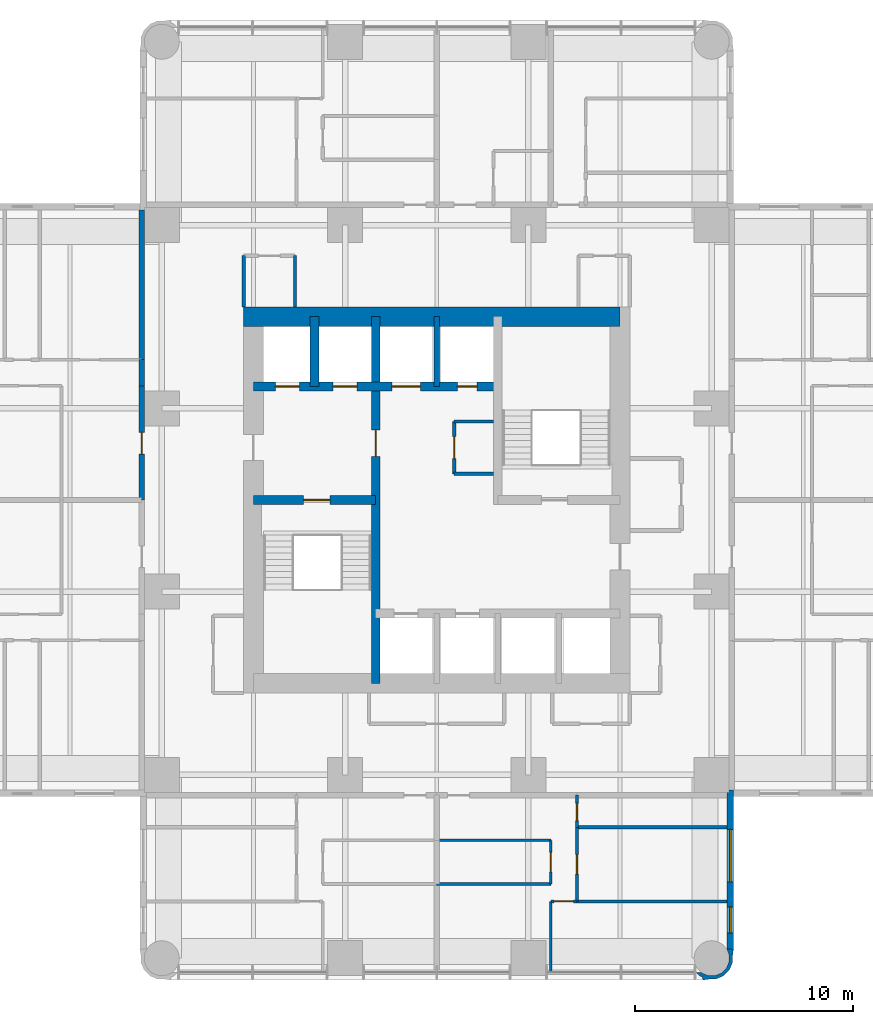
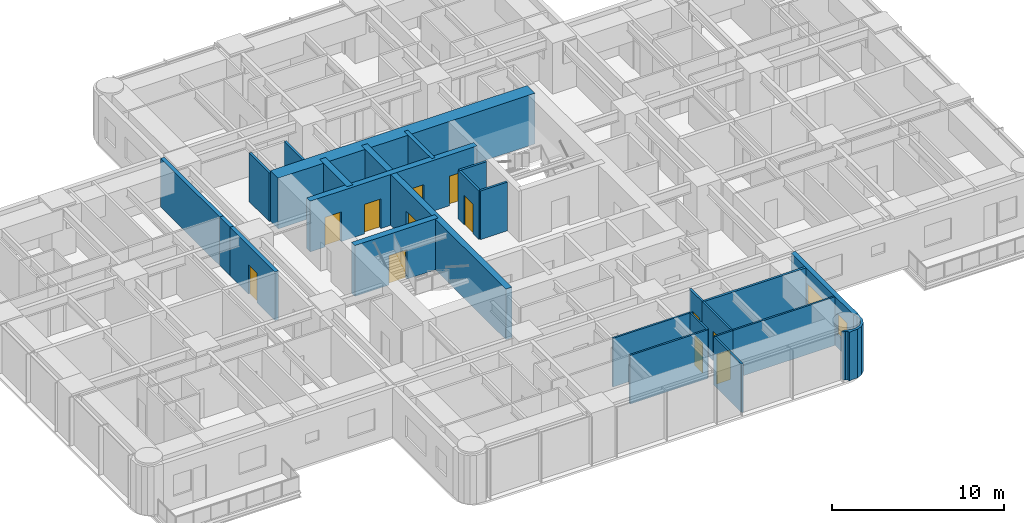
# One storey, part 8 of 15: 25 walls, 12 doors, 2 windows, 14 openings.
"""IFC4 building model written with IfcOpenShell, lengths in metres."""

from ifc_helpers import new_model, si_unit, direction, frame, frame_2d, origin, place, context, subcontext, project, spatial, polyline, rectangle, outline, extrude, material, layer, layer_set, type_object, element, fill, save


model = new_model("IFC4")

# Units and contexts
model_context = context("Model", 3, precision=1e-05, world=origin(), true_north=direction((0.0, 1.0)))
body_context = subcontext(model_context, "Body", "Model", "MODEL_VIEW")
ifc_project = project(units=[si_unit("LENGTHUNIT", "METRE"), si_unit("AREAUNIT", "SQUARE_METRE"), si_unit("VOLUMEUNIT", "CUBIC_METRE"), si_unit("PLANEANGLEUNIT", "RADIAN"), si_unit("MASSUNIT", "GRAM", prefix="KILO")], contexts=[model_context])

# Site, building, storey
site_placement = place(None, origin())
site = spatial("IfcSite", under=ifc_project, at=site_placement, CompositionType="ELEMENT")
building_placement = place(site_placement, origin())
building = spatial("IfcBuilding", under=site, at=building_placement, Name="Torre Alcanfor", CompositionType="ELEMENT")
storey_placement = place(building_placement, frame((0.0, 0.0, 148.5)))
storey = spatial("IfcBuildingStorey", under=building, at=storey_placement, Name="L38", CompositionType="ELEMENT", Elevation=148.5)

# Wall, opening, door
ifc_material_1 = material(Name="Concrete block masonry, hollow blocks NMX-C-404 9 MPa", Category="masonry")
ifc_layer_1 = layer(ifc_material_1, 0.25)
ifc_layer_set_1 = layer_set([ifc_layer_1], Name="Apartment entrance wall 250 EI 60")
wall_type_1 = type_object("IfcWallType", Name="Apartment entrance wall 250 EI 60", PredefinedType="PARTITIONING", material=ifc_layer_set_1)
wall_1_placement = place(storey_placement, frame((15.875, 29.39990234375, 0.0), z_axis=(0.0, 0.0, 1.0), x_axis=(0.0, 1.0, 0.0)))
wall_1 = element("IfcWall", 1, at=wall_1_placement, inside=storey, type_object=wall_type_1, Name="Partition L38-CORR / L38-W2-ZAG", PredefinedType="PARTITIONING", context=body_context, shape_type="SweptSolid", body=[
    extrude(rectangle(XDim=5.22900390625, YDim=0.25, at=frame_2d((2.614501953125, 0.0))), origin(), (0.0, 0.0, 1.0), 3.449951171875),
])
opening_1_placement = place(wall_1_placement, frame((2.10009765625, 0.0, 0.0)))
opening_1 = element("IfcOpeningElement", 2, at=opening_1_placement, cuts=wall_1, Name="Opening D-A1", PredefinedType="OPENING", context=body_context, shape_type="SweptSolid", body=[
    extrude(rectangle(XDim=1.0, YDim=2.10009765625, at=frame_2d((0.5, 1.050048828125))), frame((0.0, 0.135009765625, 0.0), z_axis=(0.0, -1.0, 0.0), x_axis=(1.0, 0.0, 0.0)), (0.0, 0.0, 1.0), 0.27001953125),
])
ifc_material_2 = material(Name="Galvanised steel sheet ASTM A653", Category="steel")
door_type_1 = type_object("IfcDoorType", Name="Apartment entrance door FD60 1000x2100", OperationType="SINGLE_SWING_LEFT", PredefinedType="DOOR", material=ifc_material_2)
door_1_placement = place(opening_1_placement, origin())
door_1 = element("IfcDoor", 3, at=door_1_placement, inside=storey, type_object=door_type_1, Name="Apartment entrance L38-W2", OperationType="SINGLE_SWING_LEFT", OverallHeight=2.10009765625, OverallWidth=1.0, PredefinedType="DOOR", context=body_context, shape_type="SweptSolid", body=[
    extrude(rectangle(XDim=1.0, YDim=2.10009765625, at=frame_2d((0.5, 1.050048828125))), frame((0.0, 0.02490234375, 0.0), z_axis=(0.0, -1.0, 0.0), x_axis=(1.0, 0.0, 0.0)), (0.0, 0.0, 1.0), 0.050048828125),
])
fill(opening_1, door_1)

# Walls
wall_2_placement = place(storey_placement, frame((15.875, 34.62890625, 0.0), z_axis=(0.0, 0.0, 1.0), x_axis=(0.0, 1.0, 0.0)))
element("IfcWall", 4, at=wall_2_placement, inside=storey, type_object=wall_type_1, Name="Partition L38-CORR / L38-W2-HALL", PredefinedType="PARTITIONING", context=body_context, shape_type="SweptSolid", body=[
    extrude(rectangle(XDim=1.2001953125, YDim=0.25, at=frame_2d((0.60009765625, 0.0))), origin(), (0.0, 0.0, 1.0), 3.449951171875),
])
wall_3_placement = place(storey_placement, frame((15.875, 35.8291015625, 0.0), z_axis=(0.0, 0.0, 1.0), x_axis=(0.0, 1.0, 0.0)))
element("IfcWall", 5, at=wall_3_placement, inside=storey, type_object=wall_type_1, Name="Partition L38-CORR / L38-W2-BED2", PredefinedType="PARTITIONING", context=body_context, shape_type="SweptSolid", body=[
    extrude(rectangle(XDim=6.870849609375, YDim=0.25, at=frame_2d((3.435546875, 0.0))), origin(), (0.0, 0.0, 1.0), 3.449951171875),
])
ifc_material_3 = material(Name="Gypsum board on steel studs", Category="steel")
ifc_layer_2 = layer(ifc_material_3, 0.1201171875)
ifc_layer_set_2 = layer_set([ifc_layer_2], Name="Apartment partition 120")
wall_type_2 = type_object("IfcWallType", Name="Apartment partition 120", PredefinedType="PARTITIONING", material=ifc_layer_set_2)
wall_4_placement = place(storey_placement, frame((29.39990234375, 11.800048828125, 0.0), z_axis=(0.0, 0.0, 1.0), x_axis=(1.0, 0.0, 0.0)))
element("IfcWall", 6, at=wall_4_placement, inside=storey, type_object=wall_type_2, Name="Partition L38-S1-KITCHEN / L38-S1-LIVING", PredefinedType="PARTITIONING", context=body_context, shape_type="SweptSolid", body=[
    extrude(rectangle(XDim=5.22900390625, YDim=0.1201171875, at=frame_2d((2.614501953125, 0.0))), origin(), (0.0, 0.0, 1.0), 3.449951171875),
])

# Wall, opening, door
wall_5_placement = place(storey_placement, frame((34.62890625, 11.800048828125, 0.0), z_axis=(0.0, 0.0, 1.0), x_axis=(0.0, 1.0, 0.0)))
wall_5 = element("IfcWall", 7, at=wall_5_placement, inside=storey, type_object=wall_type_2, Name="Partition L38-S1-KITCHEN / L38-S1-LIVING", PredefinedType="PARTITIONING", context=body_context, shape_type="SweptSolid", body=[
    extrude(rectangle(XDim=2.0, YDim=0.1201171875, at=frame_2d((1.0, 0.0))), origin(), (0.0, 0.0, 1.0), 3.449951171875),
])
opening_2_placement = place(wall_5_placement, frame((0.550048828125, 0.0, 0.0)))
opening_2 = element("IfcOpeningElement", 8, at=opening_2_placement, cuts=wall_5, Name="Opening D-R1", PredefinedType="OPENING", context=body_context, shape_type="SweptSolid", body=[
    extrude(rectangle(XDim=0.89990234375, YDim=2.10009765625, at=frame_2d((0.449951171875, 1.050048828125))), frame((0.0, 0.070068359375, 0.0), z_axis=(0.0, -1.0, 0.0), x_axis=(1.0, 0.0, 0.0)), (0.0, 0.0, 1.0), 0.14013671875),
])
ifc_material_4 = material(Name="Timber", Category="wood")
door_type_2 = type_object("IfcDoorType", Name="Internal door 900x2100", OperationType="SINGLE_SWING_LEFT", PredefinedType="DOOR", material=ifc_material_4)
door_2_placement = place(opening_2_placement, origin())
door_2 = element("IfcDoor", 9, at=door_2_placement, inside=storey, type_object=door_type_2, Name="Door L38-S1 kitchen", OperationType="SINGLE_SWING_LEFT", OverallHeight=2.10009765625, OverallWidth=0.89990234375, PredefinedType="DOOR", context=body_context, shape_type="SweptSolid", body=[
    extrude(rectangle(XDim=0.89990234375, YDim=2.10009765625, at=frame_2d((0.449951171875, 1.050048828125))), frame((0.0, 0.02490234375, 0.0), z_axis=(0.0, -1.0, 0.0), x_axis=(1.0, 0.0, 0.0)), (0.0, 0.0, 1.0), 0.050048828125),
])
fill(opening_2, door_2)

# Wall
wall_6_placement = place(storey_placement, frame((34.62890625, 13.800048828125, 0.0), z_axis=(0.0, 0.0, 1.0), x_axis=(-1.0, 0.0, 0.0)))
element("IfcWall", 10, at=wall_6_placement, inside=storey, type_object=wall_type_2, Name="Partition L38-S1-KITCHEN / L38-S1-LIVING", PredefinedType="PARTITIONING", context=body_context, shape_type="SweptSolid", body=[
    extrude(rectangle(XDim=5.22900390625, YDim=0.1201171875, at=frame_2d((2.614501953125, 0.0))), origin(), (0.0, 0.0, 1.0), 3.449951171875),
])

# Wall, opening, door
wall_7_placement = place(storey_placement, frame((35.8291015625, 14.39990234375, 0.0), z_axis=(0.0, 0.0, 1.0), x_axis=(0.0, -1.0, 0.0)))
wall_7 = element("IfcWall", 11, at=wall_7_placement, inside=storey, type_object=wall_type_2, Name="Partition L38-S1-LIVING / L38-S1-STUDY", PredefinedType="PARTITIONING", context=body_context, shape_type="SweptSolid", body=[
    extrude(rectangle(XDim=3.39990234375, YDim=0.1201171875, at=frame_2d((1.699951171875, 0.0))), origin(), (0.0, 0.0, 1.0), 3.449951171875),
])
opening_3_placement = place(wall_7_placement, frame((1.25, 0.0, 0.0)))
opening_3 = element("IfcOpeningElement", 12, at=opening_3_placement, cuts=wall_7, Name="Opening D-R1", PredefinedType="OPENING", context=body_context, shape_type="SweptSolid", body=[
    extrude(rectangle(XDim=0.89990234375, YDim=2.10009765625, at=frame_2d((0.449951171875, 1.050048828125))), frame((0.0, 0.070068359375, 0.0), z_axis=(0.0, -1.0, 0.0), x_axis=(1.0, 0.0, 0.0)), (0.0, 0.0, 1.0), 0.14013671875),
])
door_3_placement = place(opening_3_placement, origin())
door_3 = element("IfcDoor", 13, at=door_3_placement, inside=storey, type_object=door_type_2, Name="Door L38-S1 study", OperationType="SINGLE_SWING_LEFT", OverallHeight=2.10009765625, OverallWidth=0.89990234375, PredefinedType="DOOR", context=body_context, shape_type="SweptSolid", body=[
    extrude(rectangle(XDim=0.89990234375, YDim=2.10009765625, at=frame_2d((0.449951171875, 1.050048828125))), frame((0.0, 0.02490234375, 0.0), z_axis=(0.0, -1.0, 0.0), x_axis=(1.0, 0.0, 0.0)), (0.0, 0.0, 1.0), 0.050048828125),
])
fill(opening_3, door_3)

wall_8_placement = place(storey_placement, frame((35.8291015625, 11.0, 0.0), z_axis=(0.0, 0.0, 1.0), x_axis=(-1.0, 0.0, 0.0)))
wall_8 = element("IfcWall", 14, at=wall_8_placement, inside=storey, type_object=wall_type_2, Name="Partition L38-S1-LIVING / L38-S1-MASTER", PredefinedType="PARTITIONING", context=body_context, shape_type="SweptSolid", body=[
    extrude(rectangle(XDim=1.2001953125, YDim=0.1201171875, at=frame_2d((0.60009765625, 0.0))), origin(), (0.0, 0.0, 1.0), 3.449951171875),
])
opening_4_placement = place(wall_8_placement, frame((0.14892578125, 0.0, 0.0)))
opening_4 = element("IfcOpeningElement", 15, at=opening_4_placement, cuts=wall_8, Name="Opening D-R1", PredefinedType="OPENING", context=body_context, shape_type="SweptSolid", body=[
    extrude(rectangle(XDim=0.89990234375, YDim=2.10009765625, at=frame_2d((0.449951171875, 1.050048828125))), frame((0.0, 0.070068359375, 0.0), z_axis=(0.0, -1.0, 0.0), x_axis=(1.0, 0.0, 0.0)), (0.0, 0.0, 1.0), 0.14013671875),
])
door_4_placement = place(opening_4_placement, origin())
door_4 = element("IfcDoor", 16, at=door_4_placement, inside=storey, type_object=door_type_2, Name="Door L38-S1 master", OperationType="SINGLE_SWING_RIGHT", OverallHeight=2.10009765625, OverallWidth=0.89990234375, PredefinedType="DOOR", context=body_context, shape_type="SweptSolid", body=[
    extrude(rectangle(XDim=0.89990234375, YDim=2.10009765625, at=frame_2d((0.449951171875, 1.050048828125))), frame((0.0, 0.02490234375, 0.0), z_axis=(0.0, -1.0, 0.0), x_axis=(1.0, 0.0, 0.0)), (0.0, 0.0, 1.0), 0.050048828125),
])
fill(opening_4, door_4)

# Walls
wall_9_placement = place(storey_placement, frame((34.62890625, 11.0, 0.0), z_axis=(0.0, 0.0, 1.0), x_axis=(0.0, -1.0, 0.0)))
element("IfcWall", 17, at=wall_9_placement, inside=storey, type_object=wall_type_2, Name="Partition L38-S1-LIVING / L38-S1-MASTER", PredefinedType="PARTITIONING", context=body_context, shape_type="SweptSolid", body=[
    extrude(rectangle(XDim=3.25, YDim=0.1201171875, at=frame_2d((1.625, 0.0))), origin(), (0.0, 0.0, 1.0), 3.449951171875),
])
wall_10_placement = place(storey_placement, frame((35.8291015625, 11.0, 0.0), z_axis=(0.0, 0.0, 1.0), x_axis=(1.0, 0.0, 0.0)))
element("IfcWall", 18, at=wall_10_placement, inside=storey, type_object=wall_type_2, Name="Partition L38-S1-STUDY / L38-S1-MASTER", PredefinedType="PARTITIONING", context=body_context, shape_type="SweptSolid", body=[
    extrude(rectangle(XDim=6.870849609375, YDim=0.1201171875, at=frame_2d((3.435546875, 0.0))), origin(), (0.0, 0.0, 1.0), 3.449951171875),
])

# Wall, opening, door
ifc_material_5 = material(Name="Concrete f'c 70 MPa", Category="concrete")
ifc_layer_3 = layer(ifc_material_5, 0.39990234375)
ifc_layer_set_3 = layer_set([ifc_layer_3], Name="Core inner wall 400 f'c70")
wall_type_3 = type_object("IfcWallType", Name="Core inner wall 400 f'c70", PredefinedType="SHEAR", material=ifc_layer_set_3)
wall_11_placement = place(storey_placement, frame((26.60009765625, 21.0, 0.0), z_axis=(0.0, 0.0, 1.0), x_axis=(0.0, 1.0, 0.0)))
wall_11 = element("IfcWall", 19, at=wall_11_placement, inside=storey, type_object=wall_type_3, Name="Core wall X266 L38", PredefinedType="SHEAR", context=body_context, shape_type="SweptSolid", body=[
    extrude(rectangle(XDim=16.800048828125, YDim=0.39990234375, at=frame_2d((8.39990234375, 0.0))), origin(), (0.0, 0.0, 1.0), 3.60009765625),
])
opening_5_placement = place(wall_11_placement, frame((10.39990234375, 0.0, 0.0)))
opening_5 = element("IfcOpeningElement", 20, at=opening_5_placement, cuts=wall_11, Name="Opening D-L1", PredefinedType="OPENING", context=body_context, shape_type="SweptSolid", body=[
    extrude(rectangle(XDim=1.199951171875, YDim=2.10009765625, at=frame_2d((0.60009765625, 1.050048828125))), frame((0.0, 0.2099609375, 0.0), z_axis=(0.0, -1.0, 0.0), x_axis=(1.0, 0.0, 0.0)), (0.0, 0.0, 1.0), 0.419921875),
])
ifc_material_6 = material(Name="Galvanised steel sheet ASTM A653", Category="steel")
door_type_3 = type_object("IfcDoorType", Name="Lobby door FD120 1200x2100", OperationType="SINGLE_SWING_LEFT", PredefinedType="DOOR", material=ifc_material_6)
door_5_placement = place(opening_5_placement, origin())
door_5 = element("IfcDoor", 21, at=door_5_placement, inside=storey, type_object=door_type_3, Name="Lift lobby door L38", OperationType="SINGLE_SWING_LEFT", OverallHeight=2.10009765625, OverallWidth=1.199951171875, PredefinedType="DOOR", context=body_context, shape_type="SweptSolid", body=[
    extrude(rectangle(XDim=1.199951171875, YDim=2.10009765625, at=frame_2d((0.60009765625, 1.050048828125))), frame((0.0, 0.02490234375, 0.0), z_axis=(0.0, -1.0, 0.0), x_axis=(1.0, 0.0, 0.0)), (0.0, 0.0, 1.0), 0.050048828125),
])
fill(opening_5, door_5)

wall_12_placement = place(storey_placement, frame((21.0, 29.39990234375, 0.0), z_axis=(0.0, 0.0, 1.0), x_axis=(1.0, 0.0, 0.0)))
wall_12 = element("IfcWall", 22, at=wall_12_placement, inside=storey, type_object=wall_type_3, Name="Core wall Y294W L38", PredefinedType="SHEAR", context=body_context, shape_type="SweptSolid", body=[
    extrude(rectangle(XDim=5.60009765625, YDim=0.39990234375, at=frame_2d((2.800048828125, 0.0))), origin(), (0.0, 0.0, 1.0), 3.60009765625),
])
opening_6_placement = place(wall_12_placement, frame((2.300048828125, 0.0, 0.0)))
opening_6 = element("IfcOpeningElement", 23, at=opening_6_placement, cuts=wall_12, Name="Opening D-S2", PredefinedType="OPENING", context=body_context, shape_type="SweptSolid", body=[
    extrude(rectangle(XDim=1.199951171875, YDim=2.10009765625, at=frame_2d((0.60009765625, 1.050048828125))), frame((0.0, 0.2099609375, 0.0), z_axis=(0.0, -1.0, 0.0), x_axis=(1.0, 0.0, 0.0)), (0.0, 0.0, 1.0), 0.419921875),
])
ifc_material_7 = material(Name="Galvanised steel sheet ASTM A653", Category="steel")
door_type_4 = type_object("IfcDoorType", Name="Stair enclosure door FD120 1200x2100", OperationType="SINGLE_SWING_LEFT", PredefinedType="DOOR", material=ifc_material_7)
door_6_placement = place(opening_6_placement, frame((1.199951171875, 0.0, 0.0), z_axis=(0.0, 0.0, 1.0), x_axis=(-1.0, 0.0, 0.0)))
door_6 = element("IfcDoor", 24, at=door_6_placement, inside=storey, type_object=door_type_4, Name="Stair S1 door L38", OperationType="SINGLE_SWING_LEFT", OverallHeight=2.10009765625, OverallWidth=1.199951171875, PredefinedType="DOOR", context=body_context, shape_type="SweptSolid", body=[
    extrude(rectangle(XDim=1.199951171875, YDim=2.10009765625, at=frame_2d((0.599853515625, 1.050048828125))), frame((0.0, 0.025146484375, 0.0), z_axis=(0.0, -1.0, 0.0), x_axis=(1.0, 0.0, 0.0)), (0.0, 0.0, 1.0), 0.050048828125),
])
fill(opening_6, door_6)

# Wall, openings, doors
wall_13_placement = place(storey_placement, frame((21.0, 34.60009765625, 0.0), z_axis=(0.0, 0.0, 1.0), x_axis=(1.0, 0.0, 0.0)))
wall_13 = element("IfcWall", 25, at=wall_13_placement, inside=storey, type_object=wall_type_3, Name="Core wall Y346 L38", PredefinedType="SHEAR", context=body_context, shape_type="SweptSolid", body=[
    extrude(rectangle(XDim=11.199951171875, YDim=0.39990234375, at=frame_2d((5.60009765625, 0.0))), origin(), (0.0, 0.0, 1.0), 3.60009765625),
])
opening_7_placement = place(wall_13_placement, frame((9.35009765625, 0.0, 0.0)))
opening_7 = element("IfcOpeningElement", 26, at=opening_7_placement, cuts=wall_13, Name="Opening D-Q1", PredefinedType="OPENING", context=body_context, shape_type="SweptSolid", body=[
    extrude(rectangle(XDim=0.89990234375, YDim=2.10009765625, at=frame_2d((0.449951171875, 1.050048828125))), frame((0.0, 0.2099609375, 0.0), z_axis=(0.0, -1.0, 0.0), x_axis=(1.0, 0.0, 0.0)), (0.0, 0.0, 1.0), 0.419921875),
])
opening_8_placement = place(wall_13_placement, frame((1.0, 0.0, 0.0)))
opening_8 = element("IfcOpeningElement", 27, at=opening_8_placement, cuts=wall_13, Name="Opening LD2", PredefinedType="OPENING", context=body_context, shape_type="SweptSolid", body=[
    extrude(rectangle(XDim=1.10009765625, YDim=2.10009765625, at=frame_2d((0.550048828125, 1.050048828125))), frame((0.0, 0.2099609375, 0.0), z_axis=(0.0, -1.0, 0.0), x_axis=(1.0, 0.0, 0.0)), (0.0, 0.0, 1.0), 0.419921875),
])
opening_9_placement = place(wall_13_placement, frame((3.64990234375, 0.0, 0.0)))
opening_9 = element("IfcOpeningElement", 28, at=opening_9_placement, cuts=wall_13, Name="Opening LD2", PredefinedType="OPENING", context=body_context, shape_type="SweptSolid", body=[
    extrude(rectangle(XDim=1.10009765625, YDim=2.10009765625, at=frame_2d((0.550048828125, 1.050048828125))), frame((0.0, 0.2099609375, 0.0), z_axis=(0.0, -1.0, 0.0), x_axis=(1.0, 0.0, 0.0)), (0.0, 0.0, 1.0), 0.419921875),
])
opening_10_placement = place(wall_13_placement, frame((6.35009765625, 0.0, 0.0)))
opening_10 = element("IfcOpeningElement", 29, at=opening_10_placement, cuts=wall_13, Name="Opening LD3", PredefinedType="OPENING", context=body_context, shape_type="SweptSolid", body=[
    extrude(rectangle(XDim=1.300048828125, YDim=2.10009765625, at=frame_2d((0.64990234375, 1.050048828125))), frame((0.0, 0.2099609375, 0.0), z_axis=(0.0, -1.0, 0.0), x_axis=(1.0, 0.0, 0.0)), (0.0, 0.0, 1.0), 0.419921875),
])
ifc_material_8 = material(Name="Galvanised steel sheet ASTM A653", Category="steel")
door_type_5 = type_object("IfcDoorType", Name="Firefighting lift landing door 1100x2100", OperationType="DOUBLE_DOOR_SLIDING", PredefinedType="DOOR", material=ifc_material_8)
door_7_placement = place(opening_8_placement, origin())
door_7 = element("IfcDoor", 30, at=door_7_placement, inside=storey, type_object=door_type_5, Name="Lift landing door FL1 L38", OperationType="DOUBLE_DOOR_SLIDING", OverallHeight=2.10009765625, OverallWidth=1.10009765625, PredefinedType="DOOR", context=body_context, shape_type="SweptSolid", body=[
    extrude(rectangle(XDim=1.10009765625, YDim=2.10009765625, at=frame_2d((0.550048828125, 1.050048828125))), frame((0.0, 0.02490234375, 0.0), z_axis=(0.0, -1.0, 0.0), x_axis=(1.0, 0.0, 0.0)), (0.0, 0.0, 1.0), 0.050048828125),
])
fill(opening_8, door_7)
door_8_placement = place(opening_9_placement, origin())
door_8 = element("IfcDoor", 31, at=door_8_placement, inside=storey, type_object=door_type_5, Name="Lift landing door FL2 L38", OperationType="DOUBLE_DOOR_SLIDING", OverallHeight=2.10009765625, OverallWidth=1.10009765625, PredefinedType="DOOR", context=body_context, shape_type="SweptSolid", body=[
    extrude(rectangle(XDim=1.10009765625, YDim=2.10009765625, at=frame_2d((0.550048828125, 1.050048828125))), frame((0.0, 0.02490234375, 0.0), z_axis=(0.0, -1.0, 0.0), x_axis=(1.0, 0.0, 0.0)), (0.0, 0.0, 1.0), 0.050048828125),
])
fill(opening_9, door_8)
ifc_material_9 = material(Name="Galvanised steel sheet ASTM A653", Category="steel")
door_type_6 = type_object("IfcDoorType", Name="Riser access door FD120 900x2100", OperationType="SINGLE_SWING_LEFT", PredefinedType="DOOR", material=ifc_material_9)
door_9_placement = place(opening_7_placement, origin())
door_9 = element("IfcDoor", 32, at=door_9_placement, inside=storey, type_object=door_type_6, Name="Riser door L38", OperationType="SINGLE_SWING_LEFT", OverallHeight=2.10009765625, OverallWidth=0.89990234375, PredefinedType="DOOR", context=body_context, shape_type="SweptSolid", body=[
    extrude(rectangle(XDim=0.89990234375, YDim=2.10009765625, at=frame_2d((0.449951171875, 1.050048828125))), frame((0.0, 0.02490234375, 0.0), z_axis=(0.0, -1.0, 0.0), x_axis=(1.0, 0.0, 0.0)), (0.0, 0.0, 1.0), 0.050048828125),
])
fill(opening_7, door_9)
ifc_material_10 = material(Name="Galvanised steel sheet ASTM A653", Category="steel")
door_type_7 = type_object("IfcDoorType", Name="Service lift landing door 1300x2100", OperationType="DOUBLE_DOOR_SLIDING", PredefinedType="DOOR", material=ifc_material_10)
door_10_placement = place(opening_10_placement, origin())
door_10 = element("IfcDoor", 33, at=door_10_placement, inside=storey, type_object=door_type_7, Name="Lift landing door SL1 L38", OperationType="DOUBLE_DOOR_SLIDING", OverallHeight=2.10009765625, OverallWidth=1.300048828125, PredefinedType="DOOR", context=body_context, shape_type="SweptSolid", body=[
    extrude(rectangle(XDim=1.300048828125, YDim=2.10009765625, at=frame_2d((0.64990234375, 1.050048828125))), frame((0.0, 0.02490234375, 0.0), z_axis=(0.0, -1.0, 0.0), x_axis=(1.0, 0.0, 0.0)), (0.0, 0.0, 1.0), 0.050048828125),
])
fill(opening_10, door_10)

# Walls
wall_14_placement = place(storey_placement, frame((23.800048828125, 34.60009765625, 0.0), z_axis=(0.0, 0.0, 1.0), x_axis=(0.0, 1.0, 0.0)))
element("IfcWall", 34, at=wall_14_placement, inside=storey, type_object=wall_type_3, Name="Core wall X238 L38", PredefinedType="SHEAR", context=body_context, shape_type="SweptSolid", body=[
    extrude(rectangle(XDim=3.199951171875, YDim=0.39990234375, at=frame_2d((1.60009765625, 0.0))), origin(), (0.0, 0.0, 1.0), 3.60009765625),
])
ifc_material_11 = material(Name="Concrete f'c 70 MPa", Category="concrete")
ifc_layer_4 = layer(ifc_material_11, 0.25)
ifc_layer_set_4 = layer_set([ifc_layer_4], Name="Core shaft wall 250 f'c70")
wall_type_4 = type_object("IfcWallType", Name="Core shaft wall 250 f'c70", PredefinedType="SHEAR", material=ifc_layer_set_4)
wall_15_placement = place(storey_placement, frame((29.39990234375, 34.60009765625, 0.0), z_axis=(0.0, 0.0, 1.0), x_axis=(0.0, 1.0, 0.0)))
element("IfcWall", 35, at=wall_15_placement, inside=storey, type_object=wall_type_4, Name="Core wall X294N L38", PredefinedType="SHEAR", context=body_context, shape_type="SweptSolid", body=[
    extrude(rectangle(XDim=3.199951171875, YDim=0.25, at=frame_2d((1.60009765625, 0.0))), origin(), (0.0, 0.0, 1.0), 3.60009765625),
])
ifc_material_12 = material(Name="Concrete f'c 70 MPa", Category="concrete")
ifc_layer_5 = layer(ifc_material_12, 0.89990234375)
ifc_layer_set_5 = layer_set([ifc_layer_5], Name="Core wall 900 f'c70")
wall_type_5 = type_object("IfcWallType", Name="Core wall 900 f'c70", PredefinedType="SHEAR", material=ifc_layer_set_5)
wall_16_placement = place(storey_placement, frame((37.800048828125, 37.800048828125, 0.0), z_axis=(0.0, 0.0, 1.0), x_axis=(-1.0, 0.0, 0.0)))
element("IfcWall", 36, at=wall_16_placement, inside=storey, type_object=wall_type_5, Name="Core wall OUT-N L38", PredefinedType="SHEAR", context=body_context, shape_type="SweptSolid", body=[
    extrude(rectangle(XDim=17.25, YDim=0.89990234375, at=frame_2d((8.625, 0.0))), origin(), (0.0, 0.0, 1.0), 3.60009765625),
])

# Wall, openings, windows
ifc_material_13 = material(Name="Limestone cladding", Category="masonry")
ifc_layer_6 = layer(ifc_material_13, 0.0400390625, Name="Facing")
ifc_material_14 = material(Name="Ventilated air cavity")
ifc_layer_7 = layer(ifc_material_14, 0.02001953125, ventilated=True, Name="Ventilated joint")
ifc_material_15 = material(Name="Mineral wool insulation", Category="insulation")
ifc_layer_8 = layer(ifc_material_15, 0.10009765625, Name="Insulation")
ifc_material_16 = material(Name="Concrete f'c 35 MPa", Category="concrete")
ifc_layer_9 = layer(ifc_material_16, 0.139892578125, Name="Backing")
ifc_layer_set_6 = layer_set([ifc_layer_6, ifc_layer_7, ifc_layer_8, ifc_layer_9], Name="External wall stone-clad 300")
wall_type_6 = type_object("IfcWallType", Name="External wall stone-clad 300", PredefinedType="SOLIDWALL", material=ifc_layer_set_6)
wall_17_placement = place(storey_placement, frame((42.85009765625, 8.800048828125, 0.0), z_axis=(0.0, 0.0, 1.0), x_axis=(0.0, 1.0, 0.0)))
wall_17 = element("IfcWall", 37, at=wall_17_placement, inside=storey, type_object=wall_type_6, Name="External wall L38 6", PredefinedType="SOLIDWALL", context=body_context, shape_type="SweptSolid", body=[
    extrude(rectangle(XDim=7.300048828125, YDim=0.300048828125, at=frame_2d((3.64990234375, 0.0))), origin(), (0.0, 0.0, 1.0), 3.449951171875),
])
opening_11_placement = place(wall_17_placement, frame((3.10009765625, 0.0, 0.89990234375)))
opening_11 = element("IfcOpeningElement", 38, at=opening_11_placement, cuts=wall_17, Name="Opening W1", PredefinedType="OPENING", context=body_context, shape_type="SweptSolid", body=[
    extrude(rectangle(XDim=2.39990234375, YDim=1.5, at=frame_2d((1.199951171875, 0.75))), frame((0.0, 0.159912109375, 0.0), z_axis=(0.0, -1.0, 0.0), x_axis=(1.0, 0.0, 0.0)), (0.0, 0.0, 1.0), 0.320068359375),
])
opening_12_placement = place(wall_17_placement, frame((0.75, 0.0, 0.89990234375)))
opening_12 = element("IfcOpeningElement", 39, at=opening_12_placement, cuts=wall_17, Name="Opening W4", PredefinedType="OPENING", context=body_context, shape_type="SweptSolid", body=[
    extrude(rectangle(XDim=1.199951171875, YDim=1.5, at=frame_2d((0.60009765625, 0.75))), frame((0.0, 0.159912109375, 0.0), z_axis=(0.0, -1.0, 0.0), x_axis=(1.0, 0.0, 0.0)), (0.0, 0.0, 1.0), 0.320068359375),
])
ifc_material_17 = material(Name="Aluminium frame with clear double glazing", Category="aluminium")
window_type_1 = type_object("IfcWindowType", Name="Window bedroom 1200x1500", PartitioningType="SINGLE_PANEL", PredefinedType="WINDOW", material=ifc_material_17)
window_1_placement = place(opening_12_placement, origin())
window_1 = element("IfcWindow", 40, at=window_1_placement, inside=storey, type_object=window_type_1, Name="Window W4 L38-S1", OverallHeight=1.5, OverallWidth=1.199951171875, PartitioningType="SINGLE_PANEL", PredefinedType="WINDOW", context=body_context, shape_type="SweptSolid", body=[
    extrude(rectangle(XDim=1.199951171875, YDim=1.5, at=frame_2d((0.60009765625, 0.75))), frame((0.0, 0.030029296875, 0.0), z_axis=(0.0, -1.0, 0.0), x_axis=(1.0, 0.0, 0.0)), (0.0, 0.0, 1.0), 0.06005859375),
])
fill(opening_12, window_1)
ifc_material_18 = material(Name="Aluminium frame with clear double glazing", Category="aluminium")
window_type_2 = type_object("IfcWindowType", Name="Window bedroom 2400x1500", PartitioningType="SINGLE_PANEL", PredefinedType="WINDOW", material=ifc_material_18)
window_2_placement = place(opening_11_placement, origin())
window_2 = element("IfcWindow", 41, at=window_2_placement, inside=storey, type_object=window_type_2, Name="Window W1 L38-S1", OverallHeight=1.5, OverallWidth=2.39990234375, PartitioningType="SINGLE_PANEL", PredefinedType="WINDOW", context=body_context, shape_type="SweptSolid", body=[
    extrude(rectangle(XDim=2.39990234375, YDim=1.5, at=frame_2d((1.199951171875, 0.75))), frame((0.0, 0.030029296875, 0.0), z_axis=(0.0, -1.0, 0.0), x_axis=(1.0, 0.0, 0.0)), (0.0, 0.0, 1.0), 0.06005859375),
])
fill(opening_11, window_2)

# Walls
ifc_material_19 = material(Name="Concrete block masonry, hollow blocks NMX-C-404 9 MPa", Category="masonry")
ifc_layer_10 = layer(ifc_material_19, 0.14990234375)
ifc_layer_set_7 = layer_set([ifc_layer_10], Name="Residents' room partition 150")
wall_type_7 = type_object("IfcWallType", Name="Residents' room partition 150", PredefinedType="PARTITIONING", material=ifc_layer_set_7)
for number, where, z_axis, x_axis, name in (
    (42, (22.89990234375, 38.25, 0.0), (0.0, 0.0, 1.0), (0.0, 1.0, 0.0), "Partition L38-CORR / L38-G01"),
    (43, (20.550048828125, 40.60009765625, 0.0), (0.0, 0.0, 1.0), (0.0, -1.0, 0.0), "Partition L38-CORR / L38-G01"),
):
    element("IfcWall", number, at=place(storey_placement, frame(where, z_axis=z_axis, x_axis=x_axis)), inside=storey, type_object=wall_type_7, Name=name, PredefinedType="PARTITIONING", context=body_context, shape_type="SweptSolid", body=[
        extrude(rectangle(XDim=2.35009765625, YDim=0.14990234375, at=frame_2d((1.175048828125, 0.0))), origin(), (0.0, 0.0, 1.0), 3.449951171875),
    ])
wall_18_placement = place(storey_placement, frame((32.0, 30.60009765625, 0.0), z_axis=(0.0, 0.0, 1.0), x_axis=(-1.0, 0.0, 0.0)))
element("IfcWall", 44, at=wall_18_placement, inside=storey, type_object=wall_type_7, Name="Partition L38-LL / L38-CR1", PredefinedType="PARTITIONING", context=body_context, shape_type="SweptSolid", body=[
    extrude(rectangle(XDim=1.800048828125, YDim=0.14990234375, at=frame_2d((0.89990234375, 0.0))), origin(), (0.0, 0.0, 1.0), 3.449951171875),
])

# Wall, opening, door
wall_19_placement = place(storey_placement, frame((30.199951171875, 30.60009765625, 0.0), z_axis=(0.0, 0.0, 1.0), x_axis=(0.0, 1.0, 0.0)))
wall_19 = element("IfcWall", 45, at=wall_19_placement, inside=storey, type_object=wall_type_7, Name="Partition L38-LL / L38-CR1", PredefinedType="PARTITIONING", context=body_context, shape_type="SweptSolid", body=[
    extrude(rectangle(XDim=2.39990234375, YDim=0.14990234375, at=frame_2d((1.199951171875, 0.0))), origin(), (0.0, 0.0, 1.0), 3.449951171875),
])
opening_13_placement = place(wall_19_placement, frame((0.699951171875, 0.0, 0.0)))
opening_13 = element("IfcOpeningElement", 46, at=opening_13_placement, cuts=wall_19, Name="Opening D-M1", PredefinedType="OPENING", context=body_context, shape_type="SweptSolid", body=[
    extrude(rectangle(XDim=1.0, YDim=2.10009765625, at=frame_2d((0.5, 1.050048828125))), frame((0.0, 0.0849609375, 0.0), z_axis=(0.0, -1.0, 0.0), x_axis=(1.0, 0.0, 0.0)), (0.0, 0.0, 1.0), 0.169921875),
])
ifc_material_20 = material(Name="Timber", Category="wood")
door_type_8 = type_object("IfcDoorType", Name="Residents' room door 1000x2100", OperationType="SINGLE_SWING_LEFT", PredefinedType="DOOR", material=ifc_material_20)
door_11_placement = place(opening_13_placement, frame((1.0, 0.0, 0.0), z_axis=(0.0, 0.0, 1.0), x_axis=(-1.0, 0.0, 0.0)))
door_11 = element("IfcDoor", 47, at=door_11_placement, inside=storey, type_object=door_type_8, Name="Vending and ice room door L38", OperationType="SINGLE_SWING_RIGHT", OverallHeight=2.10009765625, OverallWidth=1.0, PredefinedType="DOOR", context=body_context, shape_type="SweptSolid", body=[
    extrude(rectangle(XDim=1.0, YDim=2.10009765625, at=frame_2d((0.5, 1.050048828125))), frame((0.0, 0.025146484375, 0.0), z_axis=(0.0, -1.0, 0.0), x_axis=(1.0, 0.0, 0.0)), (0.0, 0.0, 1.0), 0.050048828125),
])
fill(opening_13, door_11)

# Walls
wall_20_placement = place(storey_placement, frame((30.199951171875, 33.0, 0.0), z_axis=(0.0, 0.0, 1.0), x_axis=(1.0, 0.0, 0.0)))
element("IfcWall", 48, at=wall_20_placement, inside=storey, type_object=wall_type_7, Name="Partition L38-LL / L38-CR1", PredefinedType="PARTITIONING", context=body_context, shape_type="SweptSolid", body=[
    extrude(rectangle(XDim=1.800048828125, YDim=0.14990234375, at=frame_2d((0.89990234375, 0.0))), origin(), (0.0, 0.0, 1.0), 3.449951171875),
])
ifc_layer_11 = layer(ifc_material_13, 0.0400390625, Name="Facing")
ifc_layer_12 = layer(ifc_material_14, 0.02001953125, ventilated=True, Name="Ventilated joint")
ifc_layer_13 = layer(ifc_material_15, 0.10009765625, Name="Insulation")
ifc_layer_14 = layer(ifc_material_16, 0.139892578125, Name="Backing")
ifc_layer_set_8 = layer_set([ifc_layer_11, ifc_layer_12, ifc_layer_13, ifc_layer_14], Name="Rounded corner pier stone-clad 300")
wall_type_8 = type_object("IfcWallType", Name="Rounded corner pier stone-clad 300", PredefinedType="SOLIDWALL", material=ifc_layer_set_8)
wall_21_placement = place(storey_placement, frame((41.351928198, 7.804682488, 0.0), z_axis=(0.0, 0.0, 1.0), x_axis=(0.343276641956, -0.93923434088, 0.0)))
element("IfcWall", 49, at=wall_21_placement, inside=storey, type_object=wall_type_8, Name="Corner pier L38 16", PredefinedType="SOLIDWALL", context=body_context, shape_type="SweptSolid", body=[
    extrude(outline(polyline([(-0.3691376945080963, 1.8896116474277462), (-0.5092849006082865, 1.6213723434863179), (-0.4904818693699753, 1.614500106025285), (-0.47937395557818696, 1.6086207727425919), (-0.21134604487110653, 1.620093396259431), (0.08789731812884549, 1.5107242513003132), (0.3226193813038204, 1.29522875171589), (0.4568297522668325, 1.0059961170728082), (0.47018090116819644, 0.6876338955306306), (0.3608955639829935, 0.3886198377896824), (0.14540006439857034, 0.15389777461470747), (0.10805580570731482, 0.136354268630141), (0.030952653705484567, -0.07460656965335008), (0.24105149879401783, 0.023022242841209073), (0.33345144333490195, 0.12363819812835387), (0.46537419024986754, 0.09413770889727405), (0.5320249985235461, 0.39313792602006), (0.6305829406476248, 0.6628009106085226), (0.6143313238115743, 1.0443478664441104), (0.4534111053034037, 1.390650880852334), (0.17226586261802523, 1.6491069643028293), (-0.09739712197043726, 1.7476649064269079), (-0.3691376945080963, 1.8896116474277462)])), origin(), (0.0, 0.0, 1.0), 3.449951171875),
])

# Wall, opening, door
ifc_material_21 = material(Name="Cement board on steel studs", Category="steel")
ifc_layer_15 = layer(ifc_material_21, 0.14990234375)
ifc_layer_set_9 = layer_set([ifc_layer_15], Name="Wet area partition 150")
wall_type_9 = type_object("IfcWallType", Name="Wet area partition 150", PredefinedType="PARTITIONING", material=ifc_layer_set_9)
wall_22_placement = place(storey_placement, frame((35.8291015625, 15.875, 0.0), z_axis=(0.0, 0.0, 1.0), x_axis=(0.0, -1.0, 0.0)))
wall_22 = element("IfcWall", 50, at=wall_22_placement, inside=storey, type_object=wall_type_9, Name="Partition L38-S1-LIVING / L38-S1-BATH", PredefinedType="PARTITIONING", context=body_context, shape_type="SweptSolid", body=[
    extrude(rectangle(XDim=1.47509765625, YDim=0.14990234375, at=frame_2d((0.737548828125, 0.0))), origin(), (0.0, 0.0, 1.0), 3.449951171875),
])
opening_14_placement = place(wall_22_placement, frame((0.375, 0.0, 0.0)))
opening_14 = element("IfcOpeningElement", 51, at=opening_14_placement, cuts=wall_22, Name="Opening D-R2", PredefinedType="OPENING", context=body_context, shape_type="SweptSolid", body=[
    extrude(rectangle(XDim=0.800048828125, YDim=2.10009765625, at=frame_2d((0.39990234375, 1.050048828125))), frame((0.0, 0.0849609375, 0.0), z_axis=(0.0, -1.0, 0.0), x_axis=(1.0, 0.0, 0.0)), (0.0, 0.0, 1.0), 0.169921875),
])
ifc_material_22 = material(Name="Timber", Category="wood")
door_type_9 = type_object("IfcDoorType", Name="Bathroom door 800x2100", OperationType="SINGLE_SWING_LEFT", PredefinedType="DOOR", material=ifc_material_22)
door_12_placement = place(opening_14_placement, origin())
door_12 = element("IfcDoor", 52, at=door_12_placement, inside=storey, type_object=door_type_9, Name="Door L38-S1 bath", OperationType="SINGLE_SWING_RIGHT", OverallHeight=2.10009765625, OverallWidth=0.800048828125, PredefinedType="DOOR", context=body_context, shape_type="SweptSolid", body=[
    extrude(rectangle(XDim=0.800048828125, YDim=2.10009765625, at=frame_2d((0.39990234375, 1.050048828125))), frame((0.0, 0.02490234375, 0.0), z_axis=(0.0, -1.0, 0.0), x_axis=(1.0, 0.0, 0.0)), (0.0, 0.0, 1.0), 0.050048828125),
])
fill(opening_14, door_12)

# Wall
wall_23_placement = place(storey_placement, frame((35.8291015625, 14.39990234375, 0.0), z_axis=(0.0, 0.0, 1.0), x_axis=(1.0, 0.0, 0.0)))
element("IfcWall", 53, at=wall_23_placement, inside=storey, type_object=wall_type_9, Name="Partition L38-S1-BATH / L38-S1-STUDY", PredefinedType="PARTITIONING", context=body_context, shape_type="SweptSolid", body=[
    extrude(rectangle(XDim=6.870849609375, YDim=0.14990234375, at=frame_2d((3.435546875, 0.0))), origin(), (0.0, 0.0, 1.0), 3.449951171875),
])

save(model, "model.ifc")
